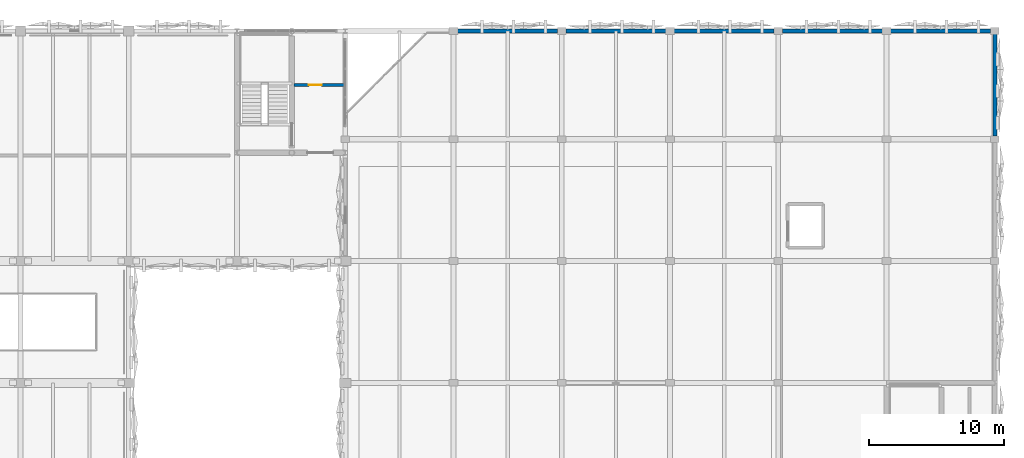
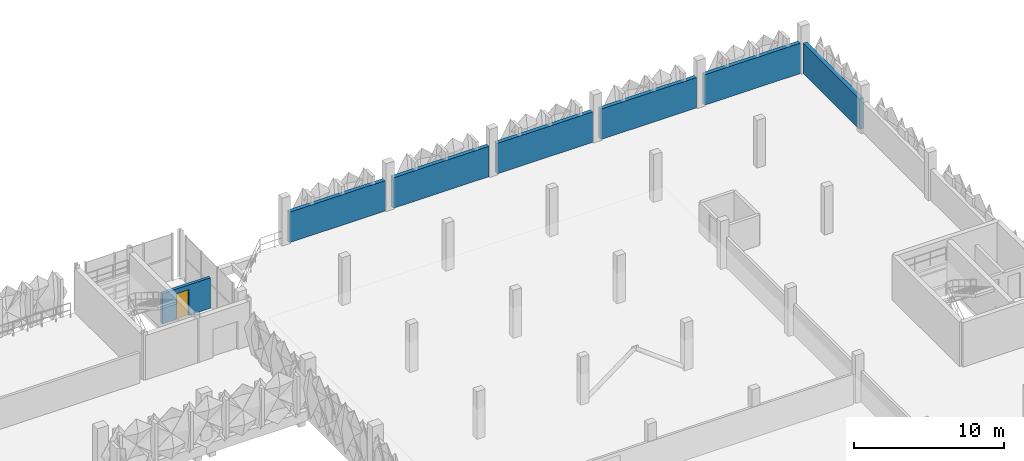
# One storey, part 45 of 76: 7 walls, 1 door, 1 opening.
"""IFC4 building model written with IfcOpenShell, lengths in metres."""

from ifc_helpers import new_model, si_unit, derived_unit, direction, frame, frame_2d, origin, place, context, subcontext, project, spatial, rectangle, extrude, material, layer, layer_set, type_object, element, fill, save


model = new_model("IFC4")

# Units and contexts
model_context = context("Model", 3, precision=1e-05, world=origin(), true_north=direction((0.0, 1.0)))
body_context = subcontext(model_context, "Body", "Model", "MODEL_VIEW")
ifc_project = project(units=[si_unit("LENGTHUNIT", "METRE"), si_unit("AREAUNIT", "SQUARE_METRE"), si_unit("VOLUMEUNIT", "CUBIC_METRE"), si_unit("PLANEANGLEUNIT", "RADIAN"), si_unit("MASSUNIT", "GRAM", prefix="KILO"), si_unit("THERMODYNAMICTEMPERATUREUNIT", "KELVIN"), derived_unit("THERMALTRANSMITTANCEUNIT", [(si_unit("POWERUNIT", "WATT"), 1), (si_unit("AREAUNIT", "SQUARE_METRE"), -1), (si_unit("THERMODYNAMICTEMPERATUREUNIT", "KELVIN"), -1)])], contexts=[model_context])

# Site, building, storey
site_placement = place(None, origin())
site = spatial("IfcSite", under=ifc_project, at=site_placement, CompositionType="ELEMENT")
building_placement = place(site_placement, origin())
building = spatial("IfcBuilding", under=site, at=building_placement, Name="Haiyu Intermodal Mobility Hub", CompositionType="ELEMENT")
storey_placement = place(building_placement, frame((0.0, 0.0, 17.300048828125)))
storey = spatial("IfcBuildingStorey", under=building, at=storey_placement, Name="L04", CompositionType="ELEMENT", Elevation=17.300048828125)

# Walls
ifc_material_1 = material(Name="Precast concrete C40", Category="concrete")
ifc_layer_1 = layer(ifc_material_1, 0.300048828125)
ifc_layer_set_1 = layer_set([ifc_layer_1], Name="Precast concrete C40")
wall_type_1 = type_object("IfcWallType", Name="WAL-WE01", PredefinedType="STANDARD", material=ifc_layer_set_1)
wall_1_placement = place(storey_placement, frame((210.0, 140.235107421875, 0.0), z_axis=(0.0, 0.0, 1.0), x_axis=(0.0, 1.0, 0.0)))
element("IfcWall", 1, at=wall_1_placement, inside=storey, type_object=wall_type_1, Name="WAL-V6E-244", PredefinedType="STANDARD", context=body_context, shape_type="SweptSolid", body=[
    extrude(rectangle(XDim=7.52978515625, YDim=0.300048828125, at=frame_2d((3.764892578125, 0.0))), origin(), (0.0, 0.0, 1.0), 2.47998046875),
])
for number, where, z_axis, x_axis, name in (
    (2, (177.695068359375, 148.0, 0.0), (0.0, 0.0, 1.0), (-1.0, 0.0, 0.0), "WAL-V6N-246"),
    (3, (185.695068359375, 148.0, 0.0), (0.0, 0.0, 1.0), (-1.0, 0.0, 0.0), "WAL-V6N-248"),
    (4, (193.695068359375, 148.0, 0.0), (0.0, 0.0, 1.0), (-1.0, 0.0, 0.0), "WAL-V6N-250"),
    (5, (201.695068359375, 148.0, 0.0), (0.0, 0.0, 1.0), (-1.0, 0.0, 0.0), "WAL-V6N-252"),
    (6, (209.695068359375, 148.0, 0.0), (0.0, 0.0, 1.0), (-1.0, 0.0, 0.0), "WAL-V6N-254"),
):
    element("IfcWall", number, at=place(storey_placement, frame(where, z_axis=z_axis, x_axis=x_axis)), inside=storey, type_object=wall_type_1, Name=name, PredefinedType="STANDARD", context=body_context, shape_type="SweptSolid", body=[
        extrude(rectangle(XDim=7.39013671875, YDim=0.300048828125, at=frame_2d((3.695068359375, 0.0))), origin(), (0.0, 0.0, 1.0), 2.47998046875),
    ])

# Wall, opening, door
ifc_material_2 = material(Name="Autoclaved aerated concrete block A5.0", Category="concrete")
ifc_layer_2 = layer(ifc_material_2, 0.22998046875)
ifc_layer_set_2 = layer_set([ifc_layer_2], Name="Autoclaved aerated concrete block A5.0")
wall_type_2 = type_object("IfcWallType", Name="WAL-WI01", PredefinedType="PARTITIONING", material=ifc_layer_set_2)
wall_2_placement = place(storey_placement, frame((158.2099609375, 144.0, 0.0), z_axis=(0.0, 0.0, 1.0), x_axis=(1.0, 0.0, 0.0)))
wall_2 = element("IfcWall", 7, at=wall_2_placement, inside=storey, type_object=wall_type_2, Name="WAL-CORE-C4-LFT-L04", PredefinedType="PARTITIONING", context=body_context, shape_type="SweptSolid", body=[
    extrude(rectangle(XDim=3.7099609375, YDim=0.22998046875, at=frame_2d((1.85498046875, 0.0))), origin(), (0.0, 0.0, 1.0), 2.47998046875),
])
opening_placement = place(wall_2_placement, frame((1.10009765625, 0.0, 0.0)))
opening = element("IfcOpeningElement", 8, at=opening_placement, cuts=wall_2, Name="Opening DI07", PredefinedType="OPENING", context=body_context, shape_type="SweptSolid", body=[
    extrude(rectangle(XDim=0.949951171875, YDim=2.10009765625, at=frame_2d((0.47509765625, 1.050048828125))), frame((0.0, 0.125, 0.0), z_axis=(0.0, -1.0, 0.0), x_axis=(1.0, 0.0, 0.0)), (0.0, 0.0, 1.0), 0.25),
])
ifc_material_3 = material(Name="Steel Q355C", Category="steel")
door_type = type_object("IfcDoorType", Name="DR-DI07", OperationType="NOTDEFINED", PredefinedType="DOOR", material=ifc_material_3)
door_placement = place(opening_placement, origin())
door = element("IfcDoor", 9, at=door_placement, inside=storey, type_object=door_type, Name="Core C4 Accessible WC Door L04", OperationType="SINGLE_SWING_RIGHT", OverallHeight=2.10009765625, OverallWidth=0.949951171875, PredefinedType="DOOR", context=body_context, shape_type="SweptSolid", body=[
    extrude(rectangle(XDim=0.949951171875, YDim=2.10009765625, at=frame_2d((0.47509765625, 1.050048828125))), frame((0.0, 0.02490234375, 0.0), z_axis=(0.0, -1.0, 0.0), x_axis=(1.0, 0.0, 0.0)), (0.0, 0.0, 1.0), 0.050048828125),
])
fill(opening, door)

save(model, "model.ifc")
